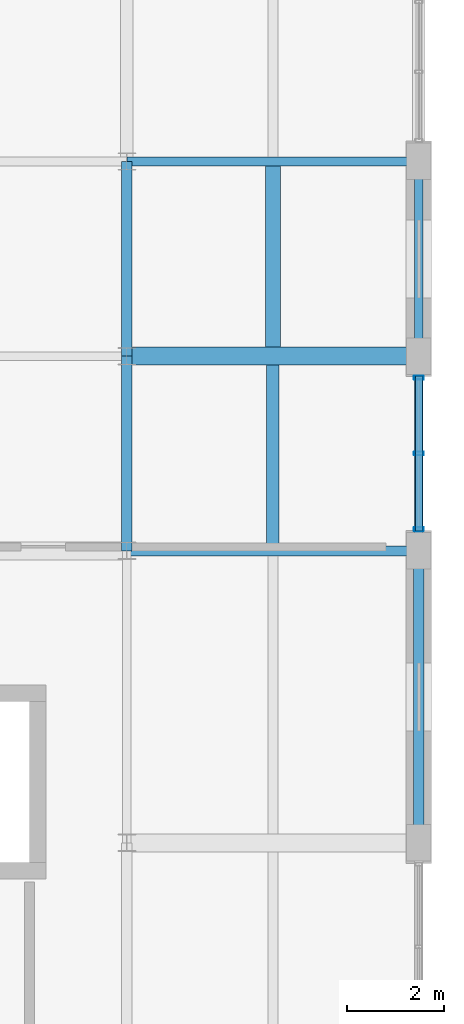
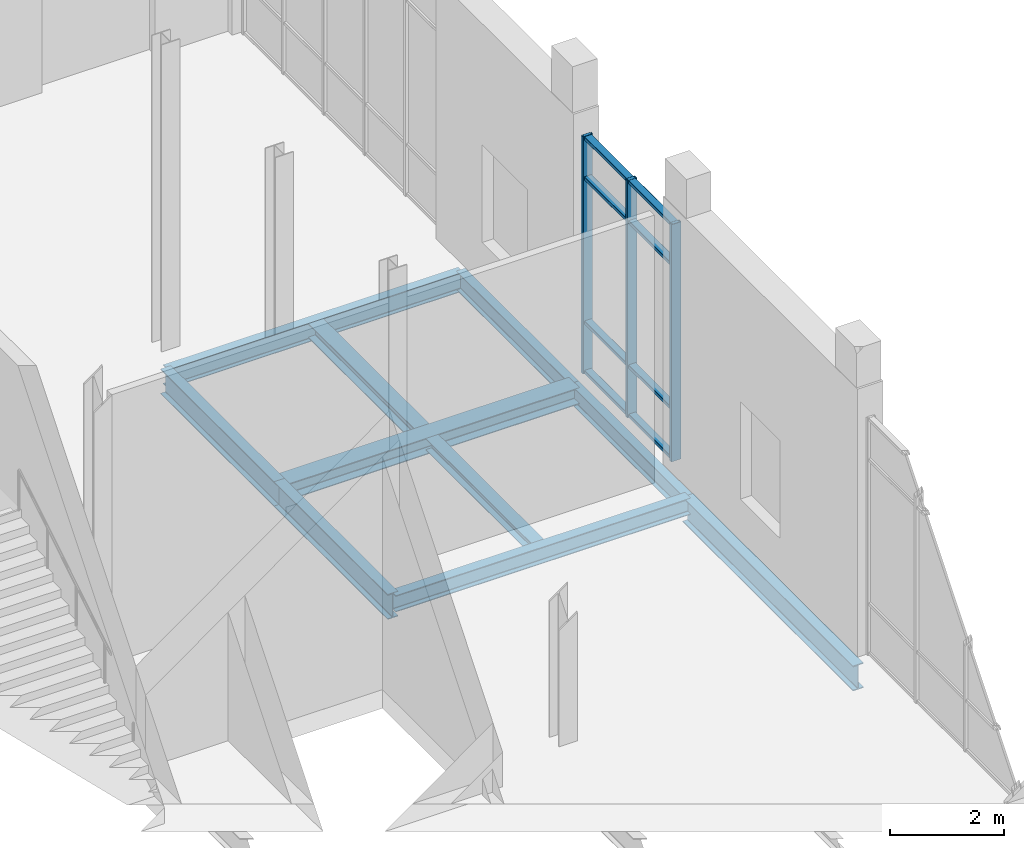
# One storey, part 92 of 140: 10 beams, 7 members, 1 element without a shape of its own.
"""IFC4 building model written with IfcOpenShell, lengths in metres."""

from ifc_helpers import new_model, si_unit, direction, frame, origin, origin_2d, place, context, subcontext, project, spatial, hollow_rectangle, i_section, extrude, material, material_profile, profile_set, type_object, element, aggregate, save


model = new_model("IFC4")

# Units and contexts
model_context = context("Model", 3, precision=1e-05, world=origin(), true_north=direction((0.0, 1.0)))
body_context = subcontext(model_context, "Body", "Model", "MODEL_VIEW")
ifc_project = project(units=[si_unit("LENGTHUNIT", "METRE"), si_unit("AREAUNIT", "SQUARE_METRE"), si_unit("VOLUMEUNIT", "CUBIC_METRE"), si_unit("PLANEANGLEUNIT", "RADIAN"), si_unit("MASSUNIT", "GRAM", prefix="KILO")], contexts=[model_context])

# Site, building, storey
site_placement = place(None, origin())
site = spatial("IfcSite", under=ifc_project, at=site_placement, CompositionType="ELEMENT")
building_placement = place(site_placement, origin())
building = spatial("IfcBuilding", under=site, at=building_placement, Name="Verrall Gate Interchange", CompositionType="ELEMENT")
storey_placement = place(building_placement, origin())
storey = spatial("IfcBuildingStorey", under=building, at=storey_placement, Name="L01", CompositionType="ELEMENT", Elevation=0.0)

# Beams
ifc_material_1 = material(Name="Structural Steel CSA G40.21 350W", Category="steel")
ifc_material_profile_1 = material_profile(ifc_material_1, i_section(OverallWidth=0.2109375, OverallDepth=0.5390625, WebThickness=0.01171875, FlangeThickness=0.018798828125, FilletRadius=0.013916015625, at=origin_2d()), Name="W530x109")
ifc_profile_set_1 = profile_set([ifc_material_profile_1], Name="Structural Steel CSA G40.21 350W")
beam_type_1 = type_object("IfcBeamType", Name="B-10 Structural Beam W530x109", PredefinedType="BEAM", material=ifc_profile_set_1)
for number, where, z_axis, x_axis, name in (
    (1, (162.0, 40.0, -0.76953125), (0.0, 1.0, 0.0), (-1.0, 0.0, 0.0), "L01 Girder BM-L01-1240 (B-10)"),
    (2, (162.0, 44.0, -0.76953125), (0.0, 1.0, 0.0), (-1.0, 0.0, 0.0), "L01 Girder BM-L01-1241 (B-10)"),
):
    element("IfcBeam", number, at=place(storey_placement, frame(where, z_axis=z_axis, x_axis=x_axis)), inside=storey, type_object=beam_type_1, Name=name, PredefinedType="BEAM", context=body_context, shape_type="SweptSolid", body=[
        extrude(i_section(OverallWidth=0.2109375, OverallDepth=0.5390625, WebThickness=0.01171875, FlangeThickness=0.018798828125, FilletRadius=0.013916015625, at=origin_2d()), origin(), (0.0, 0.0, 1.0), 4.0),
    ])
beam_1_placement = place(storey_placement, frame((168.0, 34.0, -0.76953125), z_axis=(0.0, 1.0, 0.0), x_axis=(-1.0, 0.0, 0.0)))
element("IfcBeam", 3, at=beam_1_placement, inside=storey, type_object=beam_type_1, Name="L01 Girder BM-L01-1247 (B-10)", PredefinedType="BEAM", context=body_context, shape_type="SweptSolid", body=[
    extrude(i_section(OverallWidth=0.2109375, OverallDepth=0.5390625, WebThickness=0.01171875, FlangeThickness=0.018798828125, FilletRadius=0.013916015625, at=origin_2d()), origin(), (0.0, 0.0, 1.0), 6.0),
])
ifc_material_2 = material(Name="Structural Steel CSA G40.21 350W", Category="steel")
ifc_material_profile_2 = material_profile(ifc_material_2, i_section(OverallWidth=0.178955078125, OverallDepth=0.409912109375, WebThickness=0.0087890625, FlangeThickness=0.014404296875, FilletRadius=0.011962890625, at=origin_2d()), Name="W410x67")
ifc_profile_set_2 = profile_set([ifc_material_profile_2], Name="Structural Steel CSA G40.21 350W")
beam_type_2 = type_object("IfcBeamType", Name="B-12 Structural Beam W410x67", PredefinedType="BEAM", material=ifc_profile_set_2)
beam_2_placement = place(storey_placement, frame((162.0, 48.0, -0.705078125), z_axis=(1.0, 0.0, 0.0), x_axis=(0.0, 1.0, 0.0)))
element("IfcBeam", 4, at=beam_2_placement, inside=storey, type_object=beam_type_2, Name="L01 Girder BM-L01-0934 (B-12)", PredefinedType="BEAM", context=body_context, shape_type="SweptSolid", body=[
    extrude(i_section(OverallWidth=0.178955078125, OverallDepth=0.409912109375, WebThickness=0.0087890625, FlangeThickness=0.014404296875, FilletRadius=0.011962890625, at=origin_2d()), origin(), (0.0, 0.0, 1.0), 6.0),
])
for number, where, z_axis, x_axis, name in (
    (5, (168.0, 40.0, -0.705078125), (0.0, 1.0, 0.0), (-1.0, 0.0, 0.0), "L01 Girder BM-L01-1248 (B-12)"),
    (6, (168.0, 44.0, -0.705078125), (0.0, 1.0, 0.0), (-1.0, 0.0, 0.0), "L01 Girder BM-L01-1249 (B-12)"),
):
    element("IfcBeam", number, at=place(storey_placement, frame(where, z_axis=z_axis, x_axis=x_axis)), inside=storey, type_object=beam_type_2, Name=name, PredefinedType="BEAM", context=body_context, shape_type="SweptSolid", body=[
        extrude(i_section(OverallWidth=0.178955078125, OverallDepth=0.409912109375, WebThickness=0.0087890625, FlangeThickness=0.014404296875, FilletRadius=0.011962890625, at=origin_2d()), origin(), (0.0, 0.0, 1.0), 4.0),
    ])
ifc_material_3 = material(Name="Structural Steel CSA G40.21 350W", Category="steel")
ifc_material_profile_3 = material_profile(ifc_material_3, i_section(OverallWidth=0.368896484375, OverallDepth=0.35595703125, WebThickness=0.01123046875, FlangeThickness=0.01806640625, FilletRadius=0.014892578125, at=origin_2d()), Name="W360x134")
ifc_profile_set_3 = profile_set([ifc_material_profile_3], Name="Structural Steel CSA G40.21 350W")
beam_type_3 = type_object("IfcBeamType", Name="B-13 Structural Beam W360x134", PredefinedType="BEAM", material=ifc_profile_set_3)
beam_3_placement = place(storey_placement, frame((162.0, 44.0, -0.677978515625), z_axis=(1.0, 0.0, 0.0), x_axis=(0.0, 1.0, 0.0)))
element("IfcBeam", 7, at=beam_3_placement, inside=storey, type_object=beam_type_3, Name="L01 Girder BM-L01-0909 (B-13)", PredefinedType="BEAM", context=body_context, shape_type="SweptSolid", body=[
    extrude(i_section(OverallWidth=0.368896484375, OverallDepth=0.35595703125, WebThickness=0.01123046875, FlangeThickness=0.01806640625, FilletRadius=0.014892578125, at=origin_2d()), origin(), (0.0, 0.0, 1.0), 6.0),
])
ifc_material_4 = material(Name="Structural Steel CSA G40.21 350W", Category="steel")
ifc_material_profile_4 = material_profile(ifc_material_4, i_section(OverallWidth=0.205078125, OverallDepth=0.35400390625, WebThickness=0.009521484375, FlangeThickness=0.016845703125, FilletRadius=0.012939453125, at=origin_2d()), Name="W360x79")
ifc_profile_set_4 = profile_set([ifc_material_profile_4], Name="Structural Steel CSA G40.21 350W")
beam_type_4 = type_object("IfcBeamType", Name="B-14 Structural Beam W360x79", PredefinedType="BEAM", material=ifc_profile_set_4)
beam_4_placement = place(storey_placement, frame((162.0, 40.0, -0.677001953125), z_axis=(1.0, 0.0, 0.0), x_axis=(0.0, 1.0, 0.0)))
element("IfcBeam", 8, at=beam_4_placement, inside=storey, type_object=beam_type_4, Name="L01 Girder BM-L01-0888 (B-14)", PredefinedType="BEAM", context=body_context, shape_type="SweptSolid", body=[
    extrude(i_section(OverallWidth=0.205078125, OverallDepth=0.35400390625, WebThickness=0.009521484375, FlangeThickness=0.016845703125, FilletRadius=0.012939453125, at=origin_2d()), origin(), (0.0, 0.0, 1.0), 6.0),
])

# Curtain wall, members
ifc_material_5 = material(Name="Thermally Broken Anodized Aluminium Curtain Wall Framing", Category="aluminium")
curtain_wall_type = type_object("IfcCurtainWallType", Name="CW-12 Unitized Curtain Wall 3186x5100", PredefinedType="NOTDEFINED", material=ifc_material_5)
curtain_wall_placement = place(storey_placement, origin())
curtain_wall = element("IfcCurtainWall", 9, at=curtain_wall_placement, inside=storey, type_object=curtain_wall_type, Name="L01 Unitized Curtain Wall CW-L01-043", PredefinedType="NOTDEFINED")
ifc_material_6 = material(Name="Thermally Broken Anodized Aluminium Curtain Wall Framing", Category="aluminium")
ifc_material_profile_5 = material_profile(ifc_material_6, hollow_rectangle(XDim=0.074951171875, YDim=0.199951171875, WallThickness=0.0048828125, InnerFilletRadius=0.0048828125, OuterFilletRadius=0.010009765625, at=origin_2d()), Name="CWM200x75x5")
ifc_profile_set_5 = profile_set([ifc_material_profile_5], Name="Thermally Broken Anodized Aluminium Curtain Wall Framing")
member_type_1 = type_object("IfcMemberType", Name="CM-02 Curtain Mullion CWM200x75x5", PredefinedType="MULLION", material=ifc_profile_set_5)
member_1_placement = place(storey_placement, frame((168.0, 40.444580078125, 0.0), z_axis=(0.0, 0.0, 1.0), x_axis=(0.0, 1.0, 0.0)))
member_1 = element("IfcMember", 10, at=member_1_placement, type_object=member_type_1, Name="CW-L01-043 Mullion 1", PredefinedType="MULLION", context=body_context, shape_type="SweptSolid", body=[
    extrude(hollow_rectangle(XDim=0.074951171875, YDim=0.199951171875, WallThickness=0.0048828125, InnerFilletRadius=0.0048828125, OuterFilletRadius=0.010009765625, at=origin_2d()), origin(), (0.0, 0.0, 1.0), 5.10009765625),
])
member_2_placement = place(storey_placement, frame((168.0, 42.0, 0.0), z_axis=(0.0, 0.0, 1.0), x_axis=(0.0, 1.0, 0.0)))
member_2 = element("IfcMember", 11, at=member_2_placement, type_object=member_type_1, Name="CW-L01-043 Mullion 2", PredefinedType="MULLION", context=body_context, shape_type="SweptSolid", body=[
    extrude(hollow_rectangle(XDim=0.074951171875, YDim=0.199951171875, WallThickness=0.0048828125, InnerFilletRadius=0.0048828125, OuterFilletRadius=0.010009765625, at=origin_2d()), origin(), (0.0, 0.0, 1.0), 5.10009765625),
])
member_3_placement = place(storey_placement, frame((168.0, 43.555419921875, 0.0), z_axis=(0.0, 0.0, 1.0), x_axis=(0.0, 1.0, 0.0)))
member_3 = element("IfcMember", 12, at=member_3_placement, type_object=member_type_1, Name="CW-L01-043 Mullion 3", PredefinedType="MULLION", context=body_context, shape_type="SweptSolid", body=[
    extrude(hollow_rectangle(XDim=0.074951171875, YDim=0.199951171875, WallThickness=0.0048828125, InnerFilletRadius=0.0048828125, OuterFilletRadius=0.010009765625, at=origin_2d()), origin(), (0.0, 0.0, 1.0), 5.10009765625),
])
ifc_material_7 = material(Name="Thermally Broken Anodized Aluminium Curtain Wall Framing", Category="aluminium")
ifc_material_profile_6 = material_profile(ifc_material_7, hollow_rectangle(XDim=0.14990234375, YDim=0.074951171875, WallThickness=0.00439453125, InnerFilletRadius=0.00439453125, OuterFilletRadius=0.009033203125, at=origin_2d()), Name="CWT150x75x4.5")
ifc_profile_set_6 = profile_set([ifc_material_profile_6], Name="Thermally Broken Anodized Aluminium Curtain Wall Framing")
member_type_2 = type_object("IfcMemberType", Name="CT-02 Curtain Transom CWT150x75x4.5", PredefinedType="USERDEFINED", material=ifc_profile_set_6)
member_4_placement = place(storey_placement, frame((168.0, 40.406982421875, 0.03759765625), z_axis=(0.0, 1.0, 0.0), x_axis=(-1.0, 0.0, 0.0)))
member_4 = element("IfcMember", 13, at=member_4_placement, type_object=member_type_2, Name="CW-L01-043 Transom 1", ObjectType="TRANSOM", PredefinedType="USERDEFINED", context=body_context, shape_type="SweptSolid", body=[
    extrude(hollow_rectangle(XDim=0.14990234375, YDim=0.074951171875, WallThickness=0.00439453125, InnerFilletRadius=0.00439453125, OuterFilletRadius=0.009033203125, at=origin_2d()), origin(), (0.0, 0.0, 1.0), 3.18603515625),
])
member_5_placement = place(storey_placement, frame((168.0, 40.406982421875, 1.10009765625), z_axis=(0.0, 1.0, 0.0), x_axis=(-1.0, 0.0, 0.0)))
member_5 = element("IfcMember", 14, at=member_5_placement, type_object=member_type_2, Name="CW-L01-043 Transom 2", ObjectType="TRANSOM", PredefinedType="USERDEFINED", context=body_context, shape_type="SweptSolid", body=[
    extrude(hollow_rectangle(XDim=0.14990234375, YDim=0.074951171875, WallThickness=0.00439453125, InnerFilletRadius=0.00439453125, OuterFilletRadius=0.009033203125, at=origin_2d()), origin(), (0.0, 0.0, 1.0), 3.18603515625),
])
member_6_placement = place(storey_placement, frame((168.0, 40.406982421875, 4.199951171875), z_axis=(0.0, 1.0, 0.0), x_axis=(-1.0, 0.0, 0.0)))
member_6 = element("IfcMember", 15, at=member_6_placement, type_object=member_type_2, Name="CW-L01-043 Transom 3", ObjectType="TRANSOM", PredefinedType="USERDEFINED", context=body_context, shape_type="SweptSolid", body=[
    extrude(hollow_rectangle(XDim=0.14990234375, YDim=0.074951171875, WallThickness=0.00439453125, InnerFilletRadius=0.00439453125, OuterFilletRadius=0.009033203125, at=origin_2d()), origin(), (0.0, 0.0, 1.0), 3.18603515625),
])
member_7_placement = place(storey_placement, frame((168.0, 40.406982421875, 5.0625), z_axis=(0.0, 1.0, 0.0), x_axis=(-1.0, 0.0, 0.0)))
member_7 = element("IfcMember", 16, at=member_7_placement, type_object=member_type_2, Name="CW-L01-043 Transom 4", ObjectType="TRANSOM", PredefinedType="USERDEFINED", context=body_context, shape_type="SweptSolid", body=[
    extrude(hollow_rectangle(XDim=0.14990234375, YDim=0.074951171875, WallThickness=0.00439453125, InnerFilletRadius=0.00439453125, OuterFilletRadius=0.009033203125, at=origin_2d()), origin(), (0.0, 0.0, 1.0), 3.18603515625),
])
aggregate(curtain_wall, [member_1, member_2, member_3, member_4, member_5, member_6, member_7])

# Beams
ifc_material_8 = material(Name="Structural Steel CSA G40.21 350W", Category="steel")
ifc_material_profile_7 = material_profile(ifc_material_8, i_section(OverallWidth=0.306884765625, OverallDepth=0.31396484375, WebThickness=0.011962890625, FlangeThickness=0.018798828125, FilletRadius=0.013916015625, at=origin_2d()), Name="W310x118")
ifc_profile_set_7 = profile_set([ifc_material_profile_7], Name="Structural Steel CSA G40.21 350W")
beam_type_5 = type_object("IfcBeamType", Name="J-02 Floor Joist W310x118", PredefinedType="JOIST", material=ifc_profile_set_7)
beam_5_placement = place(storey_placement, frame((165.0, 44.1845703125, -0.656982421875), z_axis=(0.0, 1.0, 0.0), x_axis=(-1.0, 0.0, 0.0)))
element("IfcBeam", 17, at=beam_5_placement, inside=storey, type_object=beam_type_5, Name="L01 Secondary Floor Joist JST-L01-1399", PredefinedType="JOIST", context=body_context, shape_type="SweptSolid", body=[
    extrude(i_section(OverallWidth=0.306884765625, OverallDepth=0.31396484375, WebThickness=0.011962890625, FlangeThickness=0.018798828125, FilletRadius=0.013916015625, at=origin_2d()), origin(), (0.0, 0.0, 1.0), 3.725830078125),
])
ifc_material_9 = material(Name="Structural Steel CSA G40.21 350W", Category="steel")
ifc_material_profile_8 = material_profile(ifc_material_9, i_section(OverallWidth=0.25390625, OverallDepth=0.2529296875, WebThickness=0.008544921875, FlangeThickness=0.01416015625, FilletRadius=0.011962890625, at=origin_2d()), Name="W250x73")
ifc_profile_set_8 = profile_set([ifc_material_profile_8], Name="Structural Steel CSA G40.21 350W")
beam_type_6 = type_object("IfcBeamType", Name="J-05 Floor Joist W250x73", PredefinedType="JOIST", material=ifc_profile_set_8)
beam_6_placement = place(storey_placement, frame((165.0, 40.1025390625, -0.62646484375), z_axis=(0.0, 1.0, 0.0), x_axis=(-1.0, 0.0, 0.0)))
element("IfcBeam", 18, at=beam_6_placement, inside=storey, type_object=beam_type_6, Name="L01 Secondary Floor Joist JST-L01-1379", PredefinedType="JOIST", context=body_context, shape_type="SweptSolid", body=[
    extrude(i_section(OverallWidth=0.25390625, OverallDepth=0.2529296875, WebThickness=0.008544921875, FlangeThickness=0.01416015625, FilletRadius=0.011962890625, at=origin_2d()), origin(), (0.0, 0.0, 1.0), 3.712890625),
])

save(model, "model.ifc")
